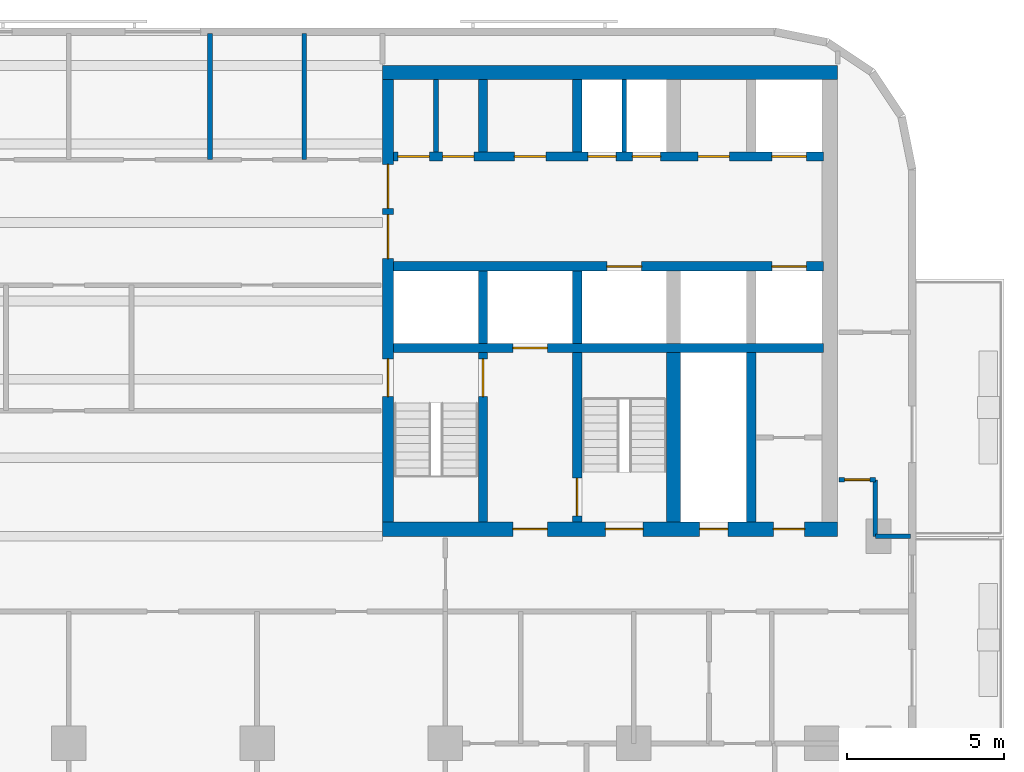
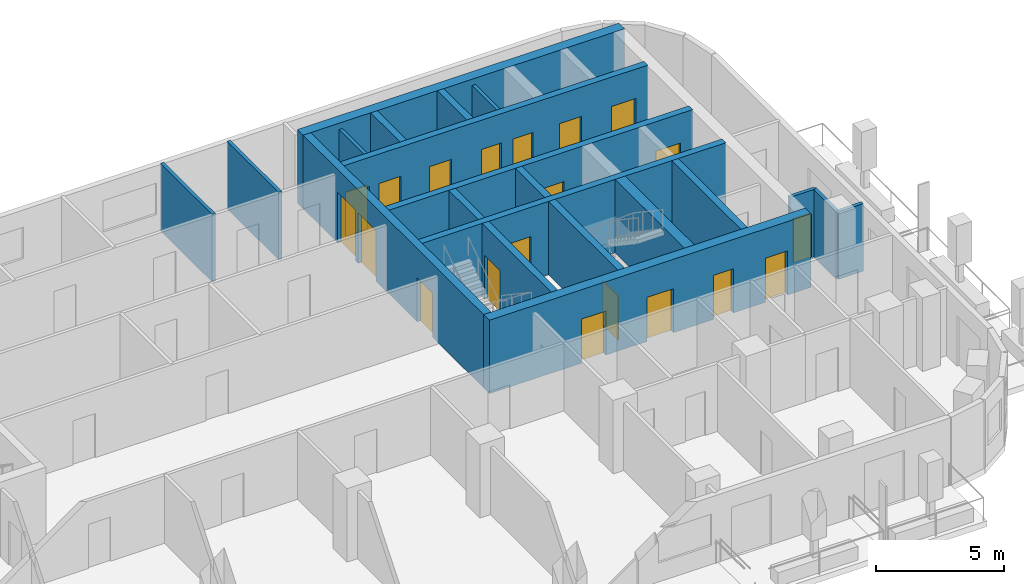
# One storey, part 6 of 11: 21 walls, 20 doors, 20 openings.
"""IFC4 building model written with IfcOpenShell, lengths in metres."""

from ifc_helpers import new_model, si_unit, direction, frame, frame_2d, origin, place, context, subcontext, project, spatial, rectangle, extrude, material, layer, layer_set, type_object, element, fill, save


model = new_model("IFC4")

# Units and contexts
model_context = context("Model", 3, precision=1e-05, world=origin(), true_north=direction((0.0, 1.0)))
body_context = subcontext(model_context, "Body", "Model", "MODEL_VIEW")
ifc_project = project(units=[si_unit("LENGTHUNIT", "METRE"), si_unit("AREAUNIT", "SQUARE_METRE"), si_unit("VOLUMEUNIT", "CUBIC_METRE"), si_unit("PLANEANGLEUNIT", "RADIAN"), si_unit("MASSUNIT", "GRAM", prefix="KILO")], contexts=[model_context])

# Site, building, storey
site_placement = place(None, origin())
site = spatial("IfcSite", under=ifc_project, at=site_placement, CompositionType="ELEMENT")
building_placement = place(site_placement, origin())
building = spatial("IfcBuilding", under=site, at=building_placement, Name="Torana Hotel and Residences", CompositionType="ELEMENT")
storey_placement = place(building_placement, frame((0.0, 0.0, 239.60009765625)))
storey = spatial("IfcBuildingStorey", under=building, at=storey_placement, Name="L63", CompositionType="ELEMENT", Elevation=239.60009765625)

# Wall, openings, doors
ifc_material_1 = material(Name="Concrete C70/85", Category="concrete")
ifc_layer_1 = layer(ifc_material_1, 0.300048828125)
ifc_layer_set_1 = layer_set([ifc_layer_1], Name="CORE WALL 300 C70/85")
wall_type_1 = type_object("IfcWallType", Name="CORE WALL 300 C70/85", PredefinedType="SHEAR", material=ifc_layer_set_1)
wall_1_placement = place(storey_placement, frame((10.35009765625, -2.89990234375, 0.0), z_axis=(0.0, 0.0, 1.0), x_axis=(1.0, 0.0, 0.0)))
wall_1 = element("IfcWall", 1, at=wall_1_placement, inside=storey, type_object=wall_type_1, Name="Core wall E row-N", PredefinedType="SHEAR", context=body_context, shape_type="SweptSolid", body=[
    extrude(rectangle(XDim=13.699951171875, YDim=0.300048828125, at=frame_2d((6.85009765625, 0.0))), origin(), (0.0, 0.0, 1.0), 3.5),
])
opening_1_placement = place(wall_1_placement, frame((12.050048828125, 0.0, 0.0)))
opening_1 = element("IfcOpeningElement", 2, at=opening_1_placement, cuts=wall_1, Name="Opening LD", PredefinedType="OPENING", context=body_context, shape_type="SweptSolid", body=[
    extrude(rectangle(XDim=1.10009765625, YDim=2.10009765625, at=frame_2d((0.550048828125, 1.050048828125))), frame((0.0, 0.159912109375, 0.0), z_axis=(0.0, -1.0, 0.0), x_axis=(1.0, 0.0, 0.0)), (0.0, 0.0, 1.0), 0.320068359375),
])
opening_2_placement = place(wall_1_placement, frame((6.1875, 0.0, 0.0)))
opening_2 = element("IfcOpeningElement", 3, at=opening_2_placement, cuts=wall_1, Name="Opening L63-23", PredefinedType="OPENING", context=body_context, shape_type="SweptSolid", body=[
    extrude(rectangle(XDim=0.89990234375, YDim=2.10009765625, at=frame_2d((0.449951171875, 1.050048828125))), frame((0.0, 0.159912109375, 0.0), z_axis=(0.0, -1.0, 0.0), x_axis=(1.0, 0.0, 0.0)), (0.0, 0.0, 1.0), 0.320068359375),
])
opening_3_placement = place(wall_1_placement, frame((7.612548828125, 0.0, 0.0)))
opening_3 = element("IfcOpeningElement", 4, at=opening_3_placement, cuts=wall_1, Name="Opening L63-24", PredefinedType="OPENING", context=body_context, shape_type="SweptSolid", body=[
    extrude(rectangle(XDim=0.89990234375, YDim=2.10009765625, at=frame_2d((0.449951171875, 1.050048828125))), frame((0.0, 0.159912109375, 0.0), z_axis=(0.0, -1.0, 0.0), x_axis=(1.0, 0.0, 0.0)), (0.0, 0.0, 1.0), 0.320068359375),
])
opening_4_placement = place(wall_1_placement, frame((0.137451171875, 0.0, 0.0)))
opening_4 = element("IfcOpeningElement", 5, at=opening_4_placement, cuts=wall_1, Name="Opening L63-25", PredefinedType="OPENING", context=body_context, shape_type="SweptSolid", body=[
    extrude(rectangle(XDim=1.0, YDim=2.10009765625, at=frame_2d((0.5, 1.050048828125))), frame((0.0, 0.159912109375, 0.0), z_axis=(0.0, -1.0, 0.0), x_axis=(1.0, 0.0, 0.0)), (0.0, 0.0, 1.0), 0.320068359375),
])
opening_5_placement = place(wall_1_placement, frame((1.5625, 0.0, 0.0)))
opening_5 = element("IfcOpeningElement", 6, at=opening_5_placement, cuts=wall_1, Name="Opening L63-26", PredefinedType="OPENING", context=body_context, shape_type="SweptSolid", body=[
    extrude(rectangle(XDim=1.0, YDim=2.10009765625, at=frame_2d((0.5, 1.050048828125))), frame((0.0, 0.159912109375, 0.0), z_axis=(0.0, -1.0, 0.0), x_axis=(1.0, 0.0, 0.0)), (0.0, 0.0, 1.0), 0.320068359375),
])
opening_6_placement = place(wall_1_placement, frame((3.85009765625, 0.0, 0.0)))
opening_6 = element("IfcOpeningElement", 7, at=opening_6_placement, cuts=wall_1, Name="Opening L63-27", PredefinedType="OPENING", context=body_context, shape_type="SweptSolid", body=[
    extrude(rectangle(XDim=1.0, YDim=2.10009765625, at=frame_2d((0.5, 1.050048828125))), frame((0.0, 0.159912109375, 0.0), z_axis=(0.0, -1.0, 0.0), x_axis=(1.0, 0.0, 0.0)), (0.0, 0.0, 1.0), 0.320068359375),
])
opening_7_placement = place(wall_1_placement, frame((9.699951171875, 0.0, 0.0)))
opening_7 = element("IfcOpeningElement", 8, at=opening_7_placement, cuts=wall_1, Name="Opening L63-28", PredefinedType="OPENING", context=body_context, shape_type="SweptSolid", body=[
    extrude(rectangle(XDim=1.0, YDim=2.10009765625, at=frame_2d((0.5, 1.050048828125))), frame((0.0, 0.159912109375, 0.0), z_axis=(0.0, -1.0, 0.0), x_axis=(1.0, 0.0, 0.0)), (0.0, 0.0, 1.0), 0.320068359375),
])
ifc_material_2 = material(Name="Steel S235", Category="steel")
door_type_1 = type_object("IfcDoorType", Name="CORE ROOM FIRE DOOR D14 1000x2100", OperationType="SINGLE_SWING_LEFT", PredefinedType="DOOR", material=ifc_material_2)
door_1_placement = place(opening_4_placement, origin())
door_1 = element("IfcDoor", 9, at=door_1_placement, inside=storey, type_object=door_type_1, Name="N0A door L63", OperationType="SINGLE_SWING_RIGHT", OverallHeight=2.10009765625, OverallWidth=1.0, PredefinedType="DOOR", context=body_context, shape_type="SweptSolid", body=[
    extrude(rectangle(XDim=1.0, YDim=2.10009765625, at=frame_2d((0.5, 1.050048828125))), frame((0.0, 0.02490234375, 0.0), z_axis=(0.0, -1.0, 0.0), x_axis=(1.0, 0.0, 0.0)), (0.0, 0.0, 1.0), 0.050048828125),
])
fill(opening_4, door_1)
door_2_placement = place(opening_5_placement, origin())
door_2 = element("IfcDoor", 10, at=door_2_placement, inside=storey, type_object=door_type_1, Name="N0B door L63", OperationType="SINGLE_SWING_RIGHT", OverallHeight=2.10009765625, OverallWidth=1.0, PredefinedType="DOOR", context=body_context, shape_type="SweptSolid", body=[
    extrude(rectangle(XDim=1.0, YDim=2.10009765625, at=frame_2d((0.5, 1.050048828125))), frame((0.0, 0.02490234375, 0.0), z_axis=(0.0, -1.0, 0.0), x_axis=(1.0, 0.0, 0.0)), (0.0, 0.0, 1.0), 0.050048828125),
])
fill(opening_5, door_2)
door_3_placement = place(opening_6_placement, origin())
door_3 = element("IfcDoor", 11, at=door_3_placement, inside=storey, type_object=door_type_1, Name="N1 door L63", OperationType="SINGLE_SWING_RIGHT", OverallHeight=2.10009765625, OverallWidth=1.0, PredefinedType="DOOR", context=body_context, shape_type="SweptSolid", body=[
    extrude(rectangle(XDim=1.0, YDim=2.10009765625, at=frame_2d((0.5, 1.050048828125))), frame((0.0, 0.02490234375, 0.0), z_axis=(0.0, -1.0, 0.0), x_axis=(1.0, 0.0, 0.0)), (0.0, 0.0, 1.0), 0.050048828125),
])
fill(opening_6, door_3)
door_4_placement = place(opening_7_placement, origin())
door_4 = element("IfcDoor", 12, at=door_4_placement, inside=storey, type_object=door_type_1, Name="Freed-S2 door L63", OperationType="SINGLE_SWING_RIGHT", OverallHeight=2.10009765625, OverallWidth=1.0, PredefinedType="DOOR", context=body_context, shape_type="SweptSolid", body=[
    extrude(rectangle(XDim=1.0, YDim=2.10009765625, at=frame_2d((0.5, 1.050048828125))), frame((0.0, 0.02490234375, 0.0), z_axis=(0.0, -1.0, 0.0), x_axis=(1.0, 0.0, 0.0)), (0.0, 0.0, 1.0), 0.050048828125),
])
fill(opening_7, door_4)
ifc_material_3 = material(Name="Stainless steel 316", Category="steel")
door_type_2 = type_object("IfcDoorType", Name="LIFT LANDING DOOR LD 1100x2100", OperationType="DOUBLE_DOOR_SLIDING", PredefinedType="USERDEFINED", material=ifc_material_3)
door_5_placement = place(opening_1_placement, origin())
door_5 = element("IfcDoor", 13, at=door_5_placement, inside=storey, type_object=door_type_2, Name="Lift landing door M3 L63", ObjectType="LIFT LANDING DOOR", OperationType="DOUBLE_DOOR_SLIDING", OverallHeight=2.10009765625, OverallWidth=1.10009765625, PredefinedType="USERDEFINED", context=body_context, shape_type="SweptSolid", body=[
    extrude(rectangle(XDim=1.10009765625, YDim=2.10009765625, at=frame_2d((0.550048828125, 1.050048828125))), frame((0.0, 0.02490234375, 0.0), z_axis=(0.0, -1.0, 0.0), x_axis=(1.0, 0.0, 0.0)), (0.0, 0.0, 1.0), 0.050048828125),
])
fill(opening_1, door_5)
ifc_material_4 = material(Name="Steel S235", Category="steel")
door_type_3 = type_object("IfcDoorType", Name="RISER ACCESS DOOR D5 900x2100", OperationType="SINGLE_SWING_LEFT", PredefinedType="DOOR", material=ifc_material_4)
door_6_placement = place(opening_2_placement, origin())
door_6 = element("IfcDoor", 14, at=door_6_placement, inside=storey, type_object=door_type_3, Name="N2A door L63", OperationType="SINGLE_SWING_RIGHT", OverallHeight=2.10009765625, OverallWidth=0.89990234375, PredefinedType="DOOR", context=body_context, shape_type="SweptSolid", body=[
    extrude(rectangle(XDim=0.89990234375, YDim=2.10009765625, at=frame_2d((0.449951171875, 1.050048828125))), frame((0.0, 0.02490234375, 0.0), z_axis=(0.0, -1.0, 0.0), x_axis=(1.0, 0.0, 0.0)), (0.0, 0.0, 1.0), 0.050048828125),
])
fill(opening_2, door_6)
door_7_placement = place(opening_3_placement, origin())
door_7 = element("IfcDoor", 15, at=door_7_placement, inside=storey, type_object=door_type_3, Name="N2B door L63", OperationType="SINGLE_SWING_RIGHT", OverallHeight=2.10009765625, OverallWidth=0.89990234375, PredefinedType="DOOR", context=body_context, shape_type="SweptSolid", body=[
    extrude(rectangle(XDim=0.89990234375, YDim=2.10009765625, at=frame_2d((0.449951171875, 1.050048828125))), frame((0.0, 0.02490234375, 0.0), z_axis=(0.0, -1.0, 0.0), x_axis=(1.0, 0.0, 0.0)), (0.0, 0.0, 1.0), 0.050048828125),
])
fill(opening_3, door_7)

wall_2_placement = place(storey_placement, frame((10.35009765625, -6.39990234375, 0.0), z_axis=(0.0, 0.0, 1.0), x_axis=(1.0, 0.0, 0.0)))
wall_2 = element("IfcWall", 16, at=wall_2_placement, inside=storey, type_object=wall_type_1, Name="Core wall E row-S", PredefinedType="SHEAR", context=body_context, shape_type="SweptSolid", body=[
    extrude(rectangle(XDim=13.699951171875, YDim=0.300048828125, at=frame_2d((6.85009765625, 0.0))), origin(), (0.0, 0.0, 1.0), 3.5),
])
opening_8_placement = place(wall_2_placement, frame((12.050048828125, 0.0, 0.0)))
opening_8 = element("IfcOpeningElement", 17, at=opening_8_placement, cuts=wall_2, Name="Opening LD", PredefinedType="OPENING", context=body_context, shape_type="SweptSolid", body=[
    extrude(rectangle(XDim=1.10009765625, YDim=2.10009765625, at=frame_2d((0.550048828125, 1.050048828125))), frame((0.0, 0.159912109375, 0.0), z_axis=(0.0, -1.0, 0.0), x_axis=(1.0, 0.0, 0.0)), (0.0, 0.0, 1.0), 0.320068359375),
])
opening_9_placement = place(wall_2_placement, frame((6.800048828125, 0.0, 0.0)))
opening_9 = element("IfcOpeningElement", 18, at=opening_9_placement, cuts=wall_2, Name="Opening LD", PredefinedType="OPENING", context=body_context, shape_type="SweptSolid", body=[
    extrude(rectangle(XDim=1.10009765625, YDim=2.10009765625, at=frame_2d((0.550048828125, 1.050048828125))), frame((0.0, 0.159912109375, 0.0), z_axis=(0.0, -1.0, 0.0), x_axis=(1.0, 0.0, 0.0)), (0.0, 0.0, 1.0), 0.320068359375),
])
door_8_placement = place(opening_8_placement, origin())
door_8 = element("IfcDoor", 19, at=door_8_placement, inside=storey, type_object=door_type_2, Name="Lift landing door M4 L63", ObjectType="LIFT LANDING DOOR", OperationType="DOUBLE_DOOR_SLIDING", OverallHeight=2.10009765625, OverallWidth=1.10009765625, PredefinedType="USERDEFINED", context=body_context, shape_type="SweptSolid", body=[
    extrude(rectangle(XDim=1.10009765625, YDim=2.10009765625, at=frame_2d((0.550048828125, 1.050048828125))), frame((0.0, 0.02490234375, 0.0), z_axis=(0.0, -1.0, 0.0), x_axis=(1.0, 0.0, 0.0)), (0.0, 0.0, 1.0), 0.050048828125),
])
fill(opening_8, door_8)
door_9_placement = place(opening_9_placement, origin())
door_9 = element("IfcDoor", 20, at=door_9_placement, inside=storey, type_object=door_type_2, Name="Lift landing door SV2 L63", ObjectType="LIFT LANDING DOOR", OperationType="DOUBLE_DOOR_SLIDING", OverallHeight=2.10009765625, OverallWidth=1.10009765625, PredefinedType="USERDEFINED", context=body_context, shape_type="SweptSolid", body=[
    extrude(rectangle(XDim=1.10009765625, YDim=2.10009765625, at=frame_2d((0.550048828125, 1.050048828125))), frame((0.0, 0.02490234375, 0.0), z_axis=(0.0, -1.0, 0.0), x_axis=(1.0, 0.0, 0.0)), (0.0, 0.0, 1.0), 0.050048828125),
])
fill(opening_9, door_9)

# Wall, opening, door
wall_3_placement = place(storey_placement, frame((10.35009765625, -9.0, 0.0), z_axis=(0.0, 0.0, 1.0), x_axis=(1.0, 0.0, 0.0)))
wall_3 = element("IfcWall", 21, at=wall_3_placement, inside=storey, type_object=wall_type_1, Name="Core wall E band", PredefinedType="SHEAR", context=body_context, shape_type="SweptSolid", body=[
    extrude(rectangle(XDim=13.699951171875, YDim=0.300048828125, at=frame_2d((6.85009765625, 0.0))), origin(), (0.0, 0.0, 1.0), 3.5),
])
opening_10_placement = place(wall_3_placement, frame((3.800048828125, 0.0, 0.0)))
opening_10 = element("IfcOpeningElement", 22, at=opening_10_placement, cuts=wall_3, Name="Opening LD", PredefinedType="OPENING", context=body_context, shape_type="SweptSolid", body=[
    extrude(rectangle(XDim=1.10009765625, YDim=2.10009765625, at=frame_2d((0.550048828125, 1.050048828125))), frame((0.0, 0.159912109375, 0.0), z_axis=(0.0, -1.0, 0.0), x_axis=(1.0, 0.0, 0.0)), (0.0, 0.0, 1.0), 0.320068359375),
])
door_10_placement = place(opening_10_placement, origin())
door_10 = element("IfcDoor", 23, at=door_10_placement, inside=storey, type_object=door_type_2, Name="Lift landing door FF2 L63", ObjectType="LIFT LANDING DOOR", OperationType="DOUBLE_DOOR_SLIDING", OverallHeight=2.10009765625, OverallWidth=1.10009765625, PredefinedType="USERDEFINED", context=body_context, shape_type="SweptSolid", body=[
    extrude(rectangle(XDim=1.10009765625, YDim=2.10009765625, at=frame_2d((0.550048828125, 1.050048828125))), frame((0.0, 0.02490234375, 0.0), z_axis=(0.0, -1.0, 0.0), x_axis=(1.0, 0.0, 0.0)), (0.0, 0.0, 1.0), 0.050048828125),
])
fill(opening_10, door_10)

# Walls
for number, where, z_axis, x_axis, name in (
    (24, (13.199951171875, -2.75, 0.0), (0.0, 0.0, 1.0), (0.0, 1.0, 0.0), "Core wall E x3.05-N"),
    (25, (13.199951171875, -8.85009765625, 0.0), (0.0, 0.0, 1.0), (0.0, 1.0, 0.0), "Core wall E x3.05-S"),
):
    element("IfcWall", number, at=place(storey_placement, frame(where, z_axis=z_axis, x_axis=x_axis)), inside=storey, type_object=wall_type_1, Name=name, PredefinedType="SHEAR", context=body_context, shape_type="SweptSolid", body=[
        extrude(rectangle(XDim=2.300048828125, YDim=0.300048828125, at=frame_2d((1.14990234375, 0.0))), origin(), (0.0, 0.0, 1.0), 3.5),
    ])

# Wall, opening, door
wall_4_placement = place(storey_placement, frame((13.199951171875, -14.550048828125, 0.0), z_axis=(0.0, 0.0, 1.0), x_axis=(0.0, 1.0, 0.0)))
wall_4 = element("IfcWall", 26, at=wall_4_placement, inside=storey, type_object=wall_type_1, Name="Core wall E x3.05-band", PredefinedType="SHEAR", context=body_context, shape_type="SweptSolid", body=[
    extrude(rectangle(XDim=5.400146484375, YDim=0.300048828125, at=frame_2d((2.7001953125, 0.0))), origin(), (0.0, 0.0, 1.0), 3.5),
])
opening_11_placement = place(wall_4_placement, frame((4.0, 0.0, 0.0)))
opening_11 = element("IfcOpeningElement", 27, at=opening_11_placement, cuts=wall_4, Name="Opening L63-29", PredefinedType="OPENING", context=body_context, shape_type="SweptSolid", body=[
    extrude(rectangle(XDim=1.199951171875, YDim=2.10009765625, at=frame_2d((0.60009765625, 1.050048828125))), frame((0.0, 0.159912109375, 0.0), z_axis=(0.0, -1.0, 0.0), x_axis=(1.0, 0.0, 0.0)), (0.0, 0.0, 1.0), 0.320068359375),
])
ifc_material_5 = material(Name="Steel S235", Category="steel")
door_type_4 = type_object("IfcDoorType", Name="STAIR FIRE DOOR D3 1200x2100", OperationType="SINGLE_SWING_LEFT", PredefinedType="DOOR", material=ifc_material_5)
door_11_placement = place(opening_11_placement, origin())
door_11 = element("IfcDoor", 28, at=door_11_placement, inside=storey, type_object=door_type_4, Name="Stair-A-lobby door L63", OperationType="SINGLE_SWING_LEFT", OverallHeight=2.10009765625, OverallWidth=1.199951171875, PredefinedType="DOOR", context=body_context, shape_type="SweptSolid", body=[
    extrude(rectangle(XDim=1.199951171875, YDim=2.10009765625, at=frame_2d((0.60009765625, 1.050048828125))), frame((0.0, 0.02490234375, 0.0), z_axis=(0.0, -1.0, 0.0), x_axis=(1.0, 0.0, 0.0)), (0.0, 0.0, 1.0), 0.050048828125),
])
fill(opening_11, door_11)

# Walls
for number, where, z_axis, x_axis, name in (
    (29, (16.199951171875, -2.75, 0.0), (0.0, 0.0, 1.0), (0.0, 1.0, 0.0), "Core wall E x6.05-N"),
    (30, (16.199951171875, -8.85009765625, 0.0), (0.0, 0.0, 1.0), (0.0, 1.0, 0.0), "Core wall E x6.05-S"),
):
    element("IfcWall", number, at=place(storey_placement, frame(where, z_axis=z_axis, x_axis=x_axis)), inside=storey, type_object=wall_type_1, Name=name, PredefinedType="SHEAR", context=body_context, shape_type="SweptSolid", body=[
        extrude(rectangle(XDim=2.300048828125, YDim=0.300048828125, at=frame_2d((1.14990234375, 0.0))), origin(), (0.0, 0.0, 1.0), 3.5),
    ])

# Wall, opening, door
wall_5_placement = place(storey_placement, frame((16.199951171875, -14.550048828125, 0.0), z_axis=(0.0, 0.0, 1.0), x_axis=(0.0, 1.0, 0.0)))
wall_5 = element("IfcWall", 31, at=wall_5_placement, inside=storey, type_object=wall_type_1, Name="Core wall E x6.05-band", PredefinedType="SHEAR", context=body_context, shape_type="SweptSolid", body=[
    extrude(rectangle(XDim=5.400146484375, YDim=0.300048828125, at=frame_2d((2.7001953125, 0.0))), origin(), (0.0, 0.0, 1.0), 3.5),
])
opening_12_placement = place(wall_5_placement, frame((0.199951171875, 0.0, 0.0)))
opening_12 = element("IfcOpeningElement", 32, at=opening_12_placement, cuts=wall_5, Name="Opening L63-30", PredefinedType="OPENING", context=body_context, shape_type="SweptSolid", body=[
    extrude(rectangle(XDim=1.199951171875, YDim=2.10009765625, at=frame_2d((0.60009765625, 1.050048828125))), frame((0.0, 0.159912109375, 0.0), z_axis=(0.0, -1.0, 0.0), x_axis=(1.0, 0.0, 0.0)), (0.0, 0.0, 1.0), 0.320068359375),
])
door_12_placement = place(opening_12_placement, frame((0.60009765625, 0.0, 0.0), z_axis=(0.0, 0.0, 1.0), x_axis=(-1.0, 0.0, 0.0)))
door_12 = element("IfcDoor", 33, at=door_12_placement, inside=storey, type_object=door_type_4, Name="Stair-B-lobby door L63", OperationType="SINGLE_SWING_LEFT", OverallHeight=2.10009765625, OverallWidth=1.199951171875, PredefinedType="DOOR", context=body_context, shape_type="SweptSolid", body=[
    extrude(rectangle(XDim=1.199951171875, YDim=2.10009765625, at=frame_2d((0.0, 1.050048828125))), frame((0.0, -0.02490234375, 0.0), z_axis=(0.0, 1.0, 0.0), x_axis=(-1.0, 0.0, 0.0)), (0.0, 0.0, 1.0), 0.050048828125),
])
fill(opening_12, door_12)

# Wall
wall_6_placement = place(storey_placement, frame((21.75, -14.550048828125, 0.0), z_axis=(0.0, 0.0, 1.0), x_axis=(0.0, 1.0, 0.0)))
element("IfcWall", 34, at=wall_6_placement, inside=storey, type_object=wall_type_1, Name="Core wall E mm-band", PredefinedType="SHEAR", context=body_context, shape_type="SweptSolid", body=[
    extrude(rectangle(XDim=5.400146484375, YDim=0.300048828125, at=frame_2d((2.7001953125, 0.0))), origin(), (0.0, 0.0, 1.0), 3.5),
])

# Wall, openings, doors
ifc_material_6 = material(Name="Concrete C70/85", Category="concrete")
ifc_layer_2 = layer(ifc_material_6, 0.35009765625)
ifc_layer_set_2 = layer_set([ifc_layer_2], Name="CORE WALL 350 C70/85")
wall_type_2 = type_object("IfcWallType", Name="CORE WALL 350 C70/85", PredefinedType="SHEAR", material=ifc_layer_set_2)
wall_7_placement = place(storey_placement, frame((10.175048828125, -14.550048828125, 0.0), z_axis=(0.0, 0.0, 1.0), x_axis=(0.0, 1.0, 0.0)))
wall_7 = element("IfcWall", 35, at=wall_7_placement, inside=storey, type_object=wall_type_2, Name="Core wall E arch", PredefinedType="SHEAR", context=body_context, shape_type="SweptSolid", body=[
    extrude(rectangle(XDim=14.10009765625, YDim=0.35009765625, at=frame_2d((7.050048828125, 0.0))), origin(), (0.0, 0.0, 1.0), 3.5),
])
opening_13_placement = place(wall_7_placement, frame((8.39990234375, 0.0, 0.0)))
opening_13 = element("IfcOpeningElement", 36, at=opening_13_placement, cuts=wall_7, Name="Opening L63-16", PredefinedType="OPENING", context=body_context, shape_type="SweptSolid", body=[
    extrude(rectangle(XDim=1.39990234375, YDim=2.39990234375, at=frame_2d((0.699951171875, 1.199951171875))), frame((0.0, 0.18505859375, 0.0), z_axis=(0.0, -1.0, 0.0), x_axis=(1.0, 0.0, 0.0)), (0.0, 0.0, 1.0), 0.3701171875),
])
opening_14_placement = place(wall_7_placement, frame((10.0, 0.0, 0.0)))
opening_14 = element("IfcOpeningElement", 37, at=opening_14_placement, cuts=wall_7, Name="Opening L63-17", PredefinedType="OPENING", context=body_context, shape_type="SweptSolid", body=[
    extrude(rectangle(XDim=1.39990234375, YDim=2.39990234375, at=frame_2d((0.699951171875, 1.199951171875))), frame((0.0, 0.18505859375, 0.0), z_axis=(0.0, -1.0, 0.0), x_axis=(1.0, 0.0, 0.0)), (0.0, 0.0, 1.0), 0.3701171875),
])
opening_15_placement = place(wall_7_placement, frame((4.0, 0.0, 0.0)))
opening_15 = element("IfcOpeningElement", 38, at=opening_15_placement, cuts=wall_7, Name="Opening L63-18", PredefinedType="OPENING", context=body_context, shape_type="SweptSolid", body=[
    extrude(rectangle(XDim=1.199951171875, YDim=2.10009765625, at=frame_2d((0.60009765625, 1.050048828125))), frame((0.0, 0.18505859375, 0.0), z_axis=(0.0, -1.0, 0.0), x_axis=(1.0, 0.0, 0.0)), (0.0, 0.0, 1.0), 0.3701171875),
])
ifc_material_7 = material(Name="Steel S235", Category="steel")
door_type_5 = type_object("IfcDoorType", Name="LOBBY FIRE DOOR D4 1400x2400", OperationType="DOUBLE_DOOR_SINGLE_SWING", PredefinedType="DOOR", material=ifc_material_7)
door_13_placement = place(opening_13_placement, origin())
door_13 = element("IfcDoor", 39, at=door_13_placement, inside=storey, type_object=door_type_5, Name="Lobby-1 door L63", OperationType="DOUBLE_DOOR_SINGLE_SWING", OverallHeight=2.39990234375, OverallWidth=1.39990234375, PredefinedType="DOOR", context=body_context, shape_type="SweptSolid", body=[
    extrude(rectangle(XDim=1.39990234375, YDim=2.39990234375, at=frame_2d((0.699951171875, 1.199951171875))), frame((0.0, 0.02490234375, 0.0), z_axis=(0.0, -1.0, 0.0), x_axis=(1.0, 0.0, 0.0)), (0.0, 0.0, 1.0), 0.050048828125),
])
fill(opening_13, door_13)
door_14_placement = place(opening_14_placement, origin())
door_14 = element("IfcDoor", 40, at=door_14_placement, inside=storey, type_object=door_type_5, Name="Lobby-2 door L63", OperationType="DOUBLE_DOOR_SINGLE_SWING", OverallHeight=2.39990234375, OverallWidth=1.39990234375, PredefinedType="DOOR", context=body_context, shape_type="SweptSolid", body=[
    extrude(rectangle(XDim=1.39990234375, YDim=2.39990234375, at=frame_2d((0.699951171875, 1.199951171875))), frame((0.0, 0.02490234375, 0.0), z_axis=(0.0, -1.0, 0.0), x_axis=(1.0, 0.0, 0.0)), (0.0, 0.0, 1.0), 0.050048828125),
])
fill(opening_14, door_14)
door_15_placement = place(opening_15_placement, frame((0.60009765625, 0.0, 0.0), z_axis=(0.0, 0.0, 1.0), x_axis=(-1.0, 0.0, 0.0)))
door_15 = element("IfcDoor", 41, at=door_15_placement, inside=storey, type_object=door_type_4, Name="Stair-A door L63", OperationType="SINGLE_SWING_RIGHT", OverallHeight=2.10009765625, OverallWidth=1.199951171875, PredefinedType="DOOR", context=body_context, shape_type="SweptSolid", body=[
    extrude(rectangle(XDim=1.199951171875, YDim=2.10009765625, at=frame_2d((0.0, 1.050048828125))), frame((0.0, -0.02490234375, 0.0), z_axis=(0.0, 1.0, 0.0), x_axis=(-1.0, 0.0, 0.0)), (0.0, 0.0, 1.0), 0.050048828125),
])
fill(opening_15, door_15)

# Wall
ifc_material_8 = material(Name="Concrete C70/85", Category="concrete")
ifc_layer_3 = layer(ifc_material_8, 0.449951171875)
ifc_layer_set_3 = layer_set([ifc_layer_3], Name="CORE WALL 450 C70/85")
wall_type_3 = type_object("IfcWallType", Name="CORE WALL 450 C70/85", PredefinedType="SHEAR", material=ifc_layer_set_3)
wall_8_placement = place(storey_placement, frame((10.0, -0.22509765625, 0.0), z_axis=(0.0, 0.0, 1.0), x_axis=(1.0, 0.0, 0.0)))
element("IfcWall", 42, at=wall_8_placement, inside=storey, type_object=wall_type_3, Name="Core wall E rear", PredefinedType="SHEAR", context=body_context, shape_type="SweptSolid", body=[
    extrude(rectangle(XDim=14.5, YDim=0.449951171875, at=frame_2d((7.25, 0.0))), origin(), (0.0, 0.0, 1.0), 3.5),
])

# Wall, openings, doors
wall_9_placement = place(storey_placement, frame((10.0, -14.77490234375, 0.0), z_axis=(0.0, 0.0, 1.0), x_axis=(1.0, 0.0, 0.0)))
wall_9 = element("IfcWall", 43, at=wall_9_placement, inside=storey, type_object=wall_type_3, Name="Core wall E front", PredefinedType="SHEAR", context=body_context, shape_type="SweptSolid", body=[
    extrude(rectangle(XDim=14.5, YDim=0.449951171875, at=frame_2d((7.25, 0.0))), origin(), (0.0, 0.0, 1.0), 3.5),
])
opening_16_placement = place(wall_9_placement, frame((7.10009765625, 0.0, 0.0)))
opening_16 = element("IfcOpeningElement", 44, at=opening_16_placement, cuts=wall_9, Name="Opening L63-19", PredefinedType="OPENING", context=body_context, shape_type="SweptSolid", body=[
    extrude(rectangle(XDim=1.199951171875, YDim=2.10009765625, at=frame_2d((0.60009765625, 1.050048828125))), frame((0.0, 0.23486328125, 0.0), z_axis=(0.0, -1.0, 0.0), x_axis=(1.0, 0.0, 0.0)), (0.0, 0.0, 1.0), 0.469970703125),
])
opening_17_placement = place(wall_9_placement, frame((4.14990234375, 0.0, 0.0)))
opening_17 = element("IfcOpeningElement", 45, at=opening_17_placement, cuts=wall_9, Name="Opening L63-20", PredefinedType="OPENING", context=body_context, shape_type="SweptSolid", body=[
    extrude(rectangle(XDim=1.10009765625, YDim=2.10009765625, at=frame_2d((0.550048828125, 1.050048828125))), frame((0.0, 0.23486328125, 0.0), z_axis=(0.0, -1.0, 0.0), x_axis=(1.0, 0.0, 0.0)), (0.0, 0.0, 1.0), 0.469970703125),
])
opening_18_placement = place(wall_9_placement, frame((10.10009765625, 0.0, 0.0)))
opening_18 = element("IfcOpeningElement", 46, at=opening_18_placement, cuts=wall_9, Name="Opening L63-21", PredefinedType="OPENING", context=body_context, shape_type="SweptSolid", body=[
    extrude(rectangle(XDim=0.89990234375, YDim=2.10009765625, at=frame_2d((0.449951171875, 1.050048828125))), frame((0.0, 0.23486328125, 0.0), z_axis=(0.0, -1.0, 0.0), x_axis=(1.0, 0.0, 0.0)), (0.0, 0.0, 1.0), 0.469970703125),
])
opening_19_placement = place(wall_9_placement, frame((12.449951171875, 0.0, 0.0)))
opening_19 = element("IfcOpeningElement", 47, at=opening_19_placement, cuts=wall_9, Name="Opening L63-22", PredefinedType="OPENING", context=body_context, shape_type="SweptSolid", body=[
    extrude(rectangle(XDim=1.0, YDim=2.10009765625, at=frame_2d((0.5, 1.050048828125))), frame((0.0, 0.23486328125, 0.0), z_axis=(0.0, -1.0, 0.0), x_axis=(1.0, 0.0, 0.0)), (0.0, 0.0, 1.0), 0.469970703125),
])
door_16_placement = place(opening_19_placement, origin())
door_16 = element("IfcDoor", 48, at=door_16_placement, inside=storey, type_object=door_type_1, Name="M-Room-B door L63", OperationType="SINGLE_SWING_RIGHT", OverallHeight=2.10009765625, OverallWidth=1.0, PredefinedType="DOOR", context=body_context, shape_type="SweptSolid", body=[
    extrude(rectangle(XDim=1.0, YDim=2.10009765625, at=frame_2d((0.5, 1.050048828125))), frame((0.0, 0.02490234375, 0.0), z_axis=(0.0, -1.0, 0.0), x_axis=(1.0, 0.0, 0.0)), (0.0, 0.0, 1.0), 0.050048828125),
])
fill(opening_19, door_16)
ifc_material_9 = material(Name="Steel S235", Category="steel")
door_type_6 = type_object("IfcDoorType", Name="FIRE-FIGHTING LOBBY DOOR D8 1100x2100", OperationType="SINGLE_SWING_LEFT", PredefinedType="DOOR", material=ifc_material_9)
door_17_placement = place(opening_17_placement, origin())
door_17 = element("IfcDoor", 49, at=door_17_placement, inside=storey, type_object=door_type_6, Name="FF-lobby door L63", OperationType="SINGLE_SWING_RIGHT", OverallHeight=2.10009765625, OverallWidth=1.10009765625, PredefinedType="DOOR", context=body_context, shape_type="SweptSolid", body=[
    extrude(rectangle(XDim=1.10009765625, YDim=2.10009765625, at=frame_2d((0.550048828125, 1.050048828125))), frame((0.0, 0.02490234375, 0.0), z_axis=(0.0, -1.0, 0.0), x_axis=(1.0, 0.0, 0.0)), (0.0, 0.0, 1.0), 0.050048828125),
])
fill(opening_17, door_17)
door_18_placement = place(opening_18_placement, origin())
door_18 = element("IfcDoor", 50, at=door_18_placement, inside=storey, type_object=door_type_3, Name="M-Riser door L63", OperationType="SINGLE_SWING_RIGHT", OverallHeight=2.10009765625, OverallWidth=0.89990234375, PredefinedType="DOOR", context=body_context, shape_type="SweptSolid", body=[
    extrude(rectangle(XDim=0.89990234375, YDim=2.10009765625, at=frame_2d((0.449951171875, 1.050048828125))), frame((0.0, 0.02490234375, 0.0), z_axis=(0.0, -1.0, 0.0), x_axis=(1.0, 0.0, 0.0)), (0.0, 0.0, 1.0), 0.050048828125),
])
fill(opening_18, door_18)
door_19_placement = place(opening_16_placement, origin())
door_19 = element("IfcDoor", 51, at=door_19_placement, inside=storey, type_object=door_type_4, Name="Stair-B door L63", OperationType="SINGLE_SWING_RIGHT", OverallHeight=2.10009765625, OverallWidth=1.199951171875, PredefinedType="DOOR", context=body_context, shape_type="SweptSolid", body=[
    extrude(rectangle(XDim=1.199951171875, YDim=2.10009765625, at=frame_2d((0.60009765625, 1.050048828125))), frame((0.0, 0.02490234375, 0.0), z_axis=(0.0, -1.0, 0.0), x_axis=(1.0, 0.0, 0.0)), (0.0, 0.0, 1.0), 0.050048828125),
])
fill(opening_16, door_19)

# Walls
wall_10_placement = place(storey_placement, frame((19.27490234375, -14.550048828125, 0.0), z_axis=(0.0, 0.0, 1.0), x_axis=(0.0, 1.0, 0.0)))
element("IfcWall", 52, at=wall_10_placement, inside=storey, type_object=wall_type_3, Name="Core wall E hm-band", PredefinedType="SHEAR", context=body_context, shape_type="SweptSolid", body=[
    extrude(rectangle(XDim=5.400146484375, YDim=0.449951171875, at=frame_2d((2.7001953125, 0.0))), origin(), (0.0, 0.0, 1.0), 3.5),
])
ifc_material_10 = material(Name="Gypsum plaster")
ifc_layer_4 = layer(ifc_material_10, 0.014892578125, Name="Plaster", Category="finish")
ifc_material_11 = material(Name="Concrete blockwork", Category="masonry")
ifc_layer_5 = layer(ifc_material_11, 0.1201171875, Name="Blockwork", Category="structure")
ifc_layer_6 = layer(ifc_material_10, 0.014892578125, Name="Plaster", Category="finish")
ifc_layer_set_4 = layer_set([ifc_layer_4, ifc_layer_5, ifc_layer_6], Name="FIRE PARTITION 150 BLOCKWORK")
wall_type_4 = type_object("IfcWallType", Name="FIRE PARTITION 150 BLOCKWORK", PredefinedType="PARTITIONING", material=ifc_layer_set_4)
for number, where, z_axis, x_axis, name in (
    (53, (17.699951171875, -2.75, 0.0), (0.0, 0.0, 1.0), (0.0, 1.0, 0.0), "Core partition L63"),
    (54, (11.699951171875, -2.75, 0.0), (0.0, 0.0, 1.0), (0.0, 1.0, 0.0), "Core partition L63"),
):
    element("IfcWall", number, at=place(storey_placement, frame(where, z_axis=z_axis, x_axis=x_axis)), inside=storey, type_object=wall_type_4, Name=name, PredefinedType="PARTITIONING", context=body_context, shape_type="SweptSolid", body=[
        extrude(rectangle(XDim=2.300048828125, YDim=0.14990234375, at=frame_2d((1.14990234375, 0.0))), origin(), (0.0, 0.0, 1.0), 3.199951171875),
    ])
wall_11_placement = place(storey_placement, frame((25.699951171875, -15.0, 0.0), z_axis=(0.0, 0.0, 1.0), x_axis=(0.0, 1.0, 0.0)))
element("IfcWall", 55, at=wall_11_placement, inside=storey, type_object=wall_type_4, Name="Partition L63", PredefinedType="PARTITIONING", context=body_context, shape_type="SweptSolid", body=[
    extrude(rectangle(XDim=1.800048828125, YDim=0.14990234375, at=frame_2d((0.89990234375, 0.0))), origin(), (0.0, 0.0, 1.0), 3.219970703125),
])
wall_12_placement = place(storey_placement, frame((25.699951171875, -15.0, 0.0), z_axis=(0.0, 0.0, 1.0), x_axis=(1.0, 0.0, 0.0)))
element("IfcWall", 56, at=wall_12_placement, inside=storey, type_object=wall_type_4, Name="Partition L63", PredefinedType="PARTITIONING", context=body_context, shape_type="SweptSolid", body=[
    extrude(rectangle(XDim=1.1201171875, YDim=0.14990234375, at=frame_2d((0.56005859375, 0.0))), origin(), (0.0, 0.0, 1.0), 3.219970703125),
])

# Wall, opening, door
wall_13_placement = place(storey_placement, frame((24.550048828125, -13.199951171875, 0.0), z_axis=(0.0, 0.0, 1.0), x_axis=(1.0, 0.0, 0.0)))
wall_13 = element("IfcWall", 57, at=wall_13_placement, inside=storey, type_object=wall_type_4, Name="Partition L63", PredefinedType="PARTITIONING", context=body_context, shape_type="SweptSolid", body=[
    extrude(rectangle(XDim=1.14990234375, YDim=0.14990234375, at=frame_2d((0.574951171875, 0.0))), origin(), (0.0, 0.0, 1.0), 3.219970703125),
])
opening_20_placement = place(wall_13_placement, frame((0.175048828125, 0.0, 0.0)))
opening_20 = element("IfcOpeningElement", 58, at=opening_20_placement, cuts=wall_13, Name="Opening L63-41", PredefinedType="OPENING", context=body_context, shape_type="SweptSolid", body=[
    extrude(rectangle(XDim=0.800048828125, YDim=2.10009765625, at=frame_2d((0.39990234375, 1.050048828125))), frame((0.0, 0.0849609375, 0.0), z_axis=(0.0, -1.0, 0.0), x_axis=(1.0, 0.0, 0.0)), (0.0, 0.0, 1.0), 0.169921875),
])
ifc_material_12 = material(Name="Steel S235", Category="steel")
door_type_7 = type_object("IfcDoorType", Name="STORE FIRE DOOR D16 800x2100", OperationType="SINGLE_SWING_LEFT", PredefinedType="DOOR", material=ifc_material_12)
door_20_placement = place(opening_20_placement, origin())
door_20 = element("IfcDoor", 59, at=door_20_placement, inside=storey, type_object=door_type_7, Name="Door L63", OperationType="SINGLE_SWING_RIGHT", OverallHeight=2.10009765625, OverallWidth=0.800048828125, PredefinedType="DOOR", context=body_context, shape_type="SweptSolid", body=[
    extrude(rectangle(XDim=0.800048828125, YDim=2.10009765625, at=frame_2d((0.39990234375, 1.050048828125))), frame((0.0, 0.02490234375, 0.0), z_axis=(0.0, -1.0, 0.0), x_axis=(1.0, 0.0, 0.0)), (0.0, 0.0, 1.0), 0.050048828125),
])
fill(opening_20, door_20)

# Walls
ifc_material_13 = material(Name="Ceramic tile on adhesive")
ifc_layer_7 = layer(ifc_material_13, 0.010009765625, Name="Wall tile", Category="finish")
ifc_material_14 = material(Name="Cement render")
ifc_layer_8 = layer(ifc_material_14, 0.010009765625, Name="Render", Category="finish")
ifc_layer_9 = layer(ifc_material_11, 0.110107421875, Name="Blockwork", Category="structure")
ifc_layer_10 = layer(ifc_material_14, 0.010009765625, Name="Render", Category="finish")
ifc_layer_11 = layer(ifc_material_13, 0.010009765625, Name="Wall tile", Category="finish")
ifc_layer_set_5 = layer_set([ifc_layer_7, ifc_layer_8, ifc_layer_9, ifc_layer_10, ifc_layer_11], Name="WC PARTITION 150")
wall_type_5 = type_object("IfcWallType", Name="WC PARTITION 150", PredefinedType="PLUMBINGWALL", material=ifc_layer_set_5)
for number, where, z_axis, x_axis, name in (
    (60, (7.5, -3.0, 0.0), (0.0, 0.0, 1.0), (0.0, 1.0, 0.0), "Partition L63"),
    (61, (4.5, -3.0, 0.0), (0.0, 0.0, 1.0), (0.0, 1.0, 0.0), "Partition L63"),
):
    element("IfcWall", number, at=place(storey_placement, frame(where, z_axis=z_axis, x_axis=x_axis)), inside=storey, type_object=wall_type_5, Name=name, PredefinedType="PLUMBINGWALL", context=body_context, shape_type="SweptSolid", body=[
        extrude(rectangle(XDim=4.02001953125, YDim=0.14990234375, at=frame_2d((2.010009765625, 0.0))), origin(), (0.0, 0.0, 1.0), 3.219970703125),
    ])

save(model, "model.ifc")
